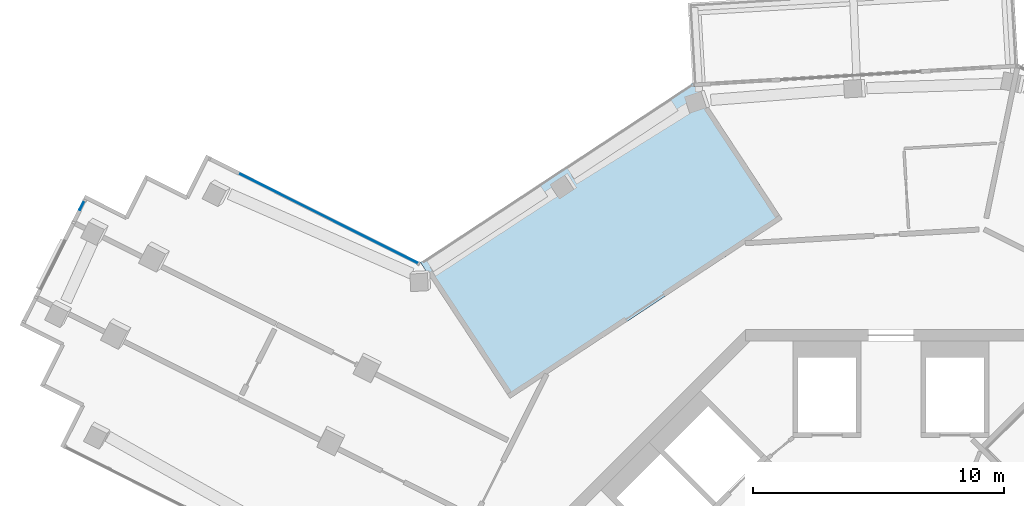
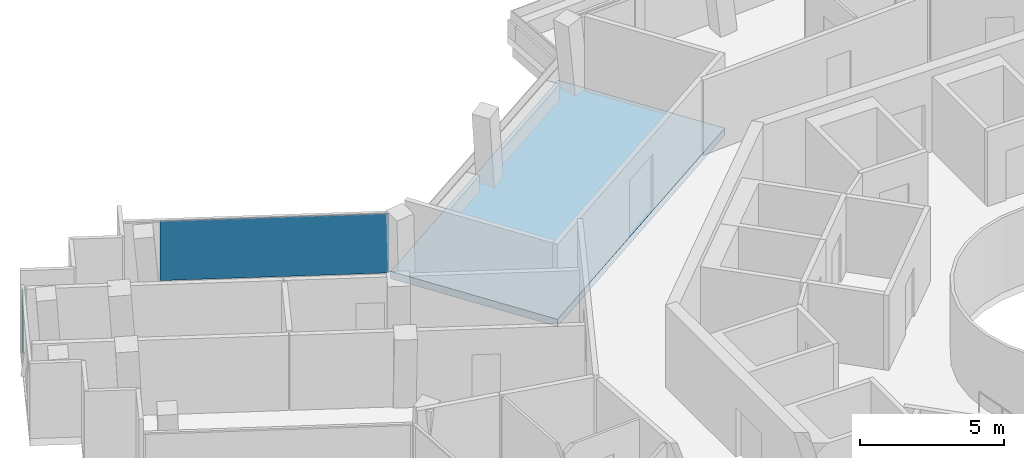
# One storey, part 14 of 26: 2 plates, 1 slab, 2 elements without a shape of their own.
"""IFC4 building model written with IfcOpenShell, lengths in metres."""

from ifc_helpers import new_model, si_unit, direction, frame, origin, origin_2d, place, context, subcontext, project, spatial, polyline, rectangle, outline, extrude, material, layer, layer_set, type_object, element, aggregate, save


model = new_model("IFC4")

# Units and contexts
model_context = context("Model", 3, precision=1e-05, world=origin(), true_north=direction((0.0, 1.0)))
body_context = subcontext(model_context, "Body", "Model", "MODEL_VIEW")
ifc_project = project(units=[si_unit("LENGTHUNIT", "METRE"), si_unit("AREAUNIT", "SQUARE_METRE"), si_unit("VOLUMEUNIT", "CUBIC_METRE"), si_unit("PLANEANGLEUNIT", "RADIAN"), si_unit("MASSUNIT", "GRAM", prefix="KILO")], contexts=[model_context])

# Site, building, storey
site_placement = place(None, origin())
site = spatial("IfcSite", under=ifc_project, at=site_placement, CompositionType="ELEMENT")
building_placement = place(site_placement, origin())
building = spatial("IfcBuilding", under=site, at=building_placement, Name="Verdalira Terraces Hotel", CompositionType="ELEMENT")
storey_placement = place(building_placement, frame((0.0, 0.0, 291.5)))
storey = spatial("IfcBuildingStorey", under=building, at=storey_placement, Name="L72", CompositionType="ELEMENT", Elevation=291.5)

# Curtain wall, plate
ifc_material_1 = material(Name="Clear glass", Category="glass")
ifc_layer_1 = layer(ifc_material_1, 0.14990234375)
ifc_layer_set_1 = layer_set([ifc_layer_1], Name="CW2 curtain wall")
curtain_wall_type_1 = type_object("IfcCurtainWallType", Name="CW2 curtain wall", PredefinedType="NOTDEFINED", material=ifc_layer_set_1)
curtain_wall_1_placement = place(storey_placement, origin())
curtain_wall_1 = element("IfcCurtainWall", 1, at=curtain_wall_1_placement, inside=storey, type_object=curtain_wall_type_1, Name="CW2 curtain wall L72 edge 0", PredefinedType="NOTDEFINED")
ifc_material_2 = material(Name="Clear glass", Category="glass")
ifc_layer_2 = layer(ifc_material_2, 0.031982421875)
ifc_layer_set_2 = layer_set([ifc_layer_2], Name="CW2 glass unit 32")
plate_type_1 = type_object("IfcPlateType", Name="CW2 glass unit 32", PredefinedType="CURTAIN_PANEL", material=ifc_layer_set_2)
plate_1_placement = place(storey_placement, frame((-22.43457, 18.442139, 0.0), z_axis=(0.0, 0.0, 1.0), x_axis=(-0.893841424, 0.448383216, 0.0)))
plate_1 = element("IfcPlate", 2, at=plate_1_placement, type_object=plate_type_1, Name="CW2 glass unit", PredefinedType="CURTAIN_PANEL", context=body_context, shape_type="SweptSolid", body=[
    extrude(rectangle(XDim=7.987549, YDim=0.031982, at=origin_2d()), origin(), (0.0, 0.0, 1.0), 2.524902),
])
aggregate(curtain_wall_1, [plate_1])

ifc_material_3 = material(Name="Clear glass", Category="glass")
ifc_layer_3 = layer(ifc_material_3, 0.14990234375)
ifc_layer_set_3 = layer_set([ifc_layer_3], Name="CW3 curtain wall")
curtain_wall_type_2 = type_object("IfcCurtainWallType", Name="CW3 curtain wall", PredefinedType="NOTDEFINED", material=ifc_layer_set_3)
curtain_wall_2_placement = place(storey_placement, origin())
curtain_wall_2 = element("IfcCurtainWall", 3, at=curtain_wall_2_placement, inside=storey, type_object=curtain_wall_type_2, Name="CW3 curtain wall L72 edge 5", PredefinedType="NOTDEFINED")
ifc_material_4 = material(Name="Clear glass", Category="glass")
ifc_layer_4 = layer(ifc_material_4, 0.035888671875)
ifc_layer_set_4 = layer_set([ifc_layer_4], Name="CW3 glass unit 36")
plate_type_2 = type_object("IfcPlateType", Name="CW3 glass unit 36", PredefinedType="CURTAIN_PANEL", material=ifc_layer_set_4)
plate_2_placement = place(storey_placement, frame((-32.260254, 18.946289, 0.0), z_axis=(0.0, 0.0, 1.0), x_axis=(-0.448383216, -0.893841424, 0.0)))
plate_2 = element("IfcPlate", 4, at=plate_2_placement, type_object=plate_type_2, Name="CW3 glass unit", PredefinedType="CURTAIN_PANEL", context=body_context, shape_type="SweptSolid", body=[
    extrude(rectangle(XDim=0.399902, YDim=0.035889, at=origin_2d()), origin(), (0.0, 0.0, 1.0), 2.524902),
])
aggregate(curtain_wall_2, [plate_2])

# Slab
ifc_material_5 = material(Name="Concrete C40", Category="concrete")
ifc_layer_5 = layer(ifc_material_5, 0.31005859375)
ifc_layer_set_5 = layer_set([ifc_layer_5], Name="Loggia floor deck 310 C40")
slab_type = type_object("IfcSlabType", Name="Loggia floor deck 310 C40", PredefinedType="FLOOR", material=ifc_layer_set_5)
slab_placement = place(storey_placement, frame((0.0, 0.0, -0.310059)))
element("IfcSlab", 5, at=slab_placement, inside=storey, type_object=slab_type, Name="Loggia deck L72", PredefinedType="FLOOR", context=body_context, shape_type="SweptSolid", body=[
    extrude(outline(polyline([(-4.336182, 18.406738), (-7.910645, 23.835693), (-18.768555, 16.687012), (-15.194336, 11.258057), (-4.336182, 18.406738)])), origin(), (0.0, 0.0, 1.0), 0.310059),
])

save(model, "model.ifc")
